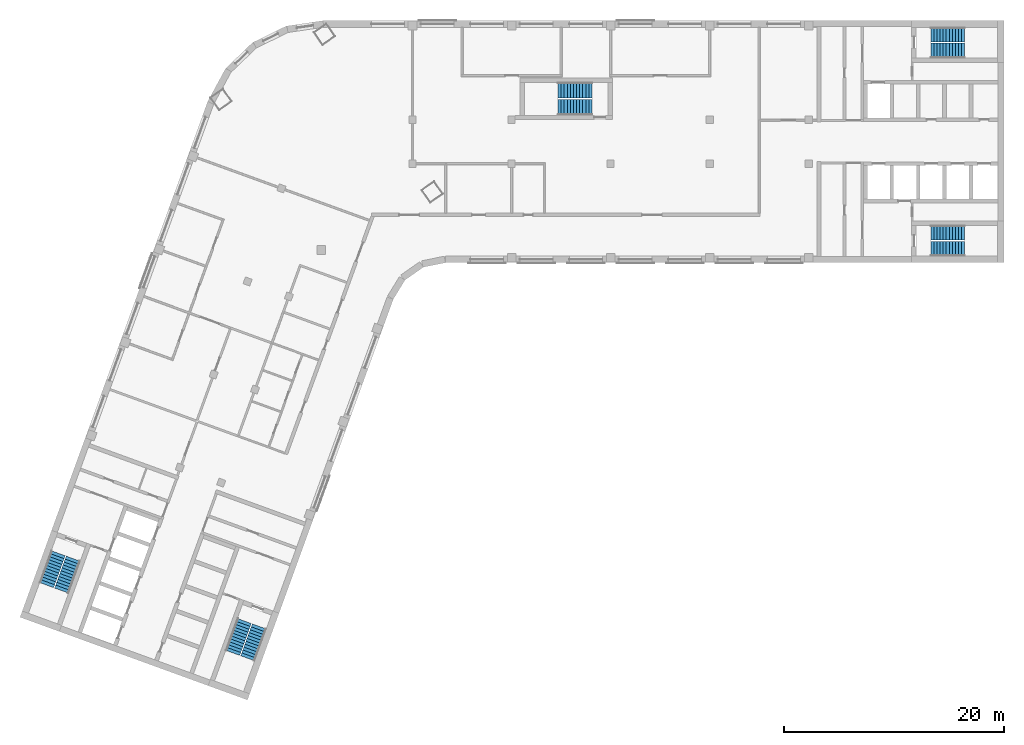
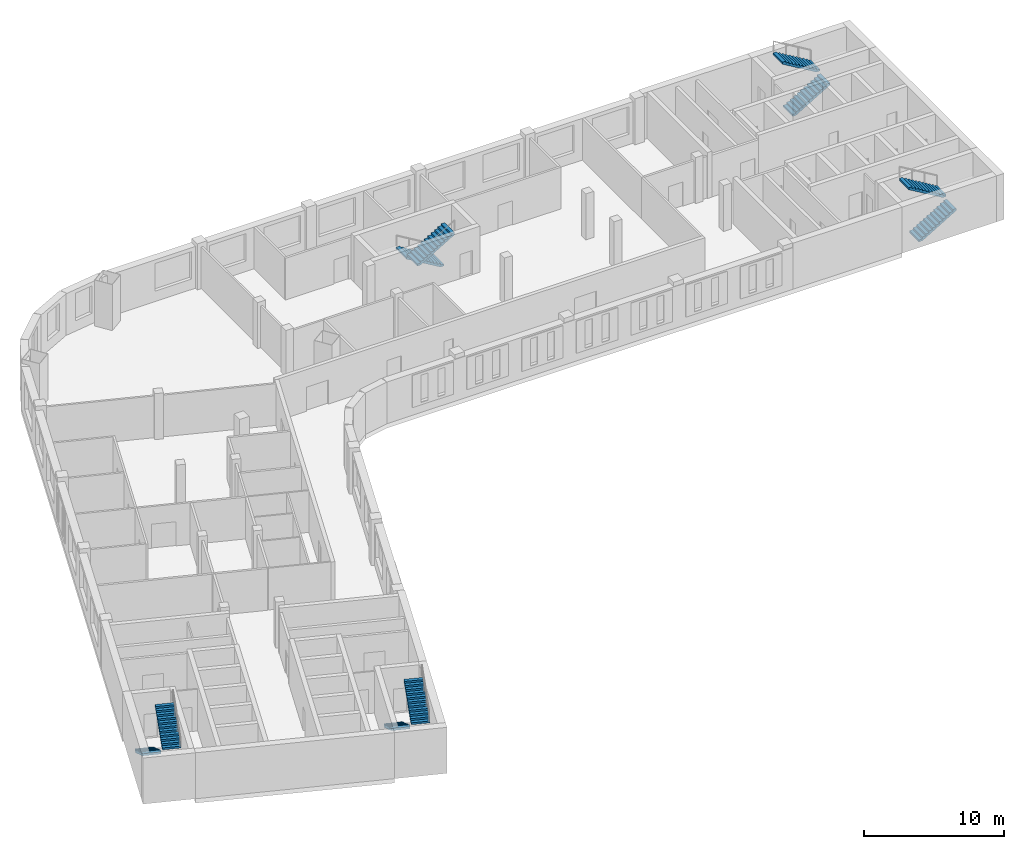
# One storey, part 7 of 8: 10 stair flights, 5 elements without a shape of their own.
"""IFC4 building model written with IfcOpenShell, lengths in metres."""

from ifc_helpers import new_model, si_unit, direction, frame, origin, place, context, subcontext, project, spatial, polyline, outline, extrude, material, type_object, element, aggregate, save


model = new_model("IFC4")

# Units and contexts
model_context = context("Model", 3, precision=1e-05, world=origin(), true_north=direction((0.0, 1.0)))
body_context = subcontext(model_context, "Body", "Model", "MODEL_VIEW")
ifc_project = project(units=[si_unit("LENGTHUNIT", "METRE"), si_unit("AREAUNIT", "SQUARE_METRE"), si_unit("VOLUMEUNIT", "CUBIC_METRE"), si_unit("PLANEANGLEUNIT", "RADIAN"), si_unit("MASSUNIT", "GRAM", prefix="KILO")], contexts=[model_context])

# Site, building, storey
site_placement = place(None, origin())
site = spatial("IfcSite", under=ifc_project, at=site_placement, CompositionType="ELEMENT")
building_placement = place(site_placement, origin())
building = spatial("IfcBuilding", under=site, at=building_placement, Name="Skarvind Civic Tower", CompositionType="ELEMENT")
storey_placement = place(building_placement, frame((0.0, 0.0, 150.5)))
storey = spatial("IfcBuildingStorey", under=building, at=storey_placement, Name="L35", CompositionType="ELEMENT", Elevation=150.5)

# Stair, stair flights
ifc_material = material(Name="Concrete C40/50", Category="concrete")
stair_type_1 = type_object("IfcStairType", Name="Exit stair 1450, half-turn, concrete", PredefinedType="HALF_TURN_STAIR", material=ifc_material)
stair_1_placement = place(storey_placement, origin())
stair_1 = element("IfcStair", 1, at=stair_1_placement, inside=storey, type_object=stair_type_1, Name="Exit stair CM", PredefinedType="HALF_TURN_STAIR")
stair_flight_type_1 = type_object("IfcStairFlightType", Name="Stair flight 1450, concrete", PredefinedType="STRAIGHT", material=ifc_material)
stair_flight_1_placement = place(storey_placement, frame((70.550048828125, 132.675048828125, 0.0), z_axis=(0.0, 0.0, 1.0), x_axis=(-1.0, 0.0, 0.0)))
stair_flight_1 = element("IfcStairFlight", 2, at=stair_flight_1_placement, type_object=stair_flight_type_1, Name="ST-CM flight 1", NumberOfRisers=12, NumberOfTreads=11, PredefinedType="STRAIGHT", RiserHeight=0.166666667, TreadLength=0.28, context=body_context, shape_type="SweptSolid", body=[
    extrude(outline(polyline([(0.0, 0.0), (0.0, 0.166748046875), (0.280029296875, 0.166748046875), (0.280029296875, 0.333251953125), (0.56005859375, 0.333251953125), (0.56005859375, 0.5), (0.840087890625, 0.5), (0.840087890625, 0.666748046875), (1.1201171875, 0.666748046875), (1.1201171875, 0.833251953125), (1.39990234375, 0.833251953125), (1.39990234375, 1.0), (1.679931640625, 1.0), (1.679931640625, 1.166748046875), (1.9599609375, 1.166748046875), (1.9599609375, 1.333251953125), (2.239990234375, 1.333251953125), (2.239990234375, 1.5), (2.52001953125, 1.5), (2.52001953125, 1.666748046875), (2.800048828125, 1.666748046875), (2.800048828125, 1.833251953125), (3.080078125, 1.833251953125), (3.080078125, 2.0), (3.080078125, 1.658935546875), (0.29296875, 0.0), (0.0, 0.0)])), frame((0.0, 0.72509765625, 0.0), z_axis=(0.0, -1.0, 0.0), x_axis=(1.0, 0.0, 0.0)), (0.0, 0.0, 1.0), 1.449951171875),
])
stair_flight_2_placement = place(storey_placement, frame((67.469970703125, 131.125, 2.0), z_axis=(0.0, 0.0, 1.0), x_axis=(1.0, 0.0, 0.0)))
stair_flight_2 = element("IfcStairFlight", 3, at=stair_flight_2_placement, type_object=stair_flight_type_1, Name="ST-CM flight 2", NumberOfRisers=12, NumberOfTreads=11, PredefinedType="STRAIGHT", RiserHeight=0.166666667, TreadLength=0.28, context=body_context, shape_type="SweptSolid", body=[
    extrude(outline(polyline([(0.0, 0.0), (0.0, 0.166748046875), (0.280029296875, 0.166748046875), (0.280029296875, 0.333251953125), (0.56005859375, 0.333251953125), (0.56005859375, 0.5), (0.840087890625, 0.5), (0.840087890625, 0.666748046875), (1.1201171875, 0.666748046875), (1.1201171875, 0.833251953125), (1.39990234375, 0.833251953125), (1.39990234375, 1.0), (1.679931640625, 1.0), (1.679931640625, 1.166748046875), (1.9599609375, 1.166748046875), (1.9599609375, 1.333251953125), (2.239990234375, 1.333251953125), (2.239990234375, 1.5), (2.52001953125, 1.5), (2.52001953125, 1.666748046875), (2.800048828125, 1.666748046875), (2.800048828125, 1.833251953125), (3.080078125, 1.833251953125), (3.080078125, 2.0), (3.080078125, 1.658935546875), (0.29296875, 0.0), (0.0, 0.0)])), frame((0.0, 0.72509765625, 0.0), z_axis=(0.0, -1.0, 0.0), x_axis=(1.0, 0.0, 0.0)), (0.0, 0.0, 1.0), 1.449951171875),
])
aggregate(stair_1, [stair_flight_1, stair_flight_2])

stair_type_2 = type_object("IfcStairType", Name="Exit stair, half-turn, concrete", PredefinedType="HALF_TURN_STAIR", material=ifc_material)
stair_2_placement = place(storey_placement, origin())
stair_2 = element("IfcStair", 4, at=stair_2_placement, inside=storey, type_object=stair_type_2, Name="Exit stair C1S", PredefinedType="HALF_TURN_STAIR")
stair_flight_type_2 = type_object("IfcStairFlightType", Name="Stair flight, concrete", PredefinedType="STRAIGHT", material=ifc_material)
stair_flight_3_placement = place(storey_placement, frame((101.35009765625, 136.27490234375, 0.0), z_axis=(0.0, 0.0, 1.0), x_axis=(1.0, 0.0, 0.0)))
stair_flight_3 = element("IfcStairFlight", 5, at=stair_flight_3_placement, type_object=stair_flight_type_2, Name="ST-C1S flight 1", NumberOfRisers=12, NumberOfTreads=11, PredefinedType="STRAIGHT", RiserHeight=0.166666667, TreadLength=0.28, context=body_context, shape_type="SweptSolid", body=[
    extrude(outline(polyline([(0.0, 0.0), (0.0, 0.166748046875), (0.280029296875, 0.166748046875), (0.280029296875, 0.333251953125), (0.56005859375, 0.333251953125), (0.56005859375, 0.5), (0.840087890625, 0.5), (0.840087890625, 0.666748046875), (1.1201171875, 0.666748046875), (1.1201171875, 0.833251953125), (1.39990234375, 0.833251953125), (1.39990234375, 1.0), (1.679931640625, 1.0), (1.679931640625, 1.166748046875), (1.9599609375, 1.166748046875), (1.9599609375, 1.333251953125), (2.239990234375, 1.333251953125), (2.239990234375, 1.5), (2.52001953125, 1.5), (2.52001953125, 1.666748046875), (2.800048828125, 1.666748046875), (2.800048828125, 1.833251953125), (3.080078125, 1.833251953125), (3.080078125, 2.0), (3.080078125, 1.658935546875), (0.29296875, 0.0), (0.0, 0.0)])), frame((0.0, 0.675048828125, 0.0), z_axis=(0.0, -1.0, 0.0), x_axis=(1.0, 0.0, 0.0)), (0.0, 0.0, 1.0), 1.35009765625),
])
stair_flight_4_placement = place(storey_placement, frame((104.429931640625, 137.72509765625, 2.0), z_axis=(0.0, 0.0, 1.0), x_axis=(-1.0, 0.0, 0.0)))
stair_flight_4 = element("IfcStairFlight", 6, at=stair_flight_4_placement, type_object=stair_flight_type_2, Name="ST-C1S flight 2", NumberOfRisers=12, NumberOfTreads=11, PredefinedType="STRAIGHT", RiserHeight=0.166666667, TreadLength=0.28, context=body_context, shape_type="SweptSolid", body=[
    extrude(outline(polyline([(0.0, 0.0), (0.0, 0.166748046875), (0.280029296875, 0.166748046875), (0.280029296875, 0.333251953125), (0.56005859375, 0.333251953125), (0.56005859375, 0.5), (0.840087890625, 0.5), (0.840087890625, 0.666748046875), (1.1201171875, 0.666748046875), (1.1201171875, 0.833251953125), (1.39990234375, 0.833251953125), (1.39990234375, 1.0), (1.679931640625, 1.0), (1.679931640625, 1.166748046875), (1.9599609375, 1.166748046875), (1.9599609375, 1.333251953125), (2.239990234375, 1.333251953125), (2.239990234375, 1.5), (2.52001953125, 1.5), (2.52001953125, 1.666748046875), (2.800048828125, 1.666748046875), (2.800048828125, 1.833251953125), (3.080078125, 1.833251953125), (3.080078125, 2.0), (3.080078125, 1.658935546875), (0.29296875, 0.0), (0.0, 0.0)])), frame((0.0, 0.675048828125, 0.0), z_axis=(0.0, -1.0, 0.0), x_axis=(1.0, 0.0, 0.0)), (0.0, 0.0, 1.0), 1.35009765625),
])
aggregate(stair_2, [stair_flight_3, stair_flight_4])

stair_3_placement = place(storey_placement, origin())
stair_3 = element("IfcStair", 7, at=stair_3_placement, inside=storey, type_object=stair_type_2, Name="Exit stair C1N", PredefinedType="HALF_TURN_STAIR")
stair_flight_5_placement = place(storey_placement, frame((101.35009765625, 118.27490234375, 0.0), z_axis=(0.0, 0.0, 1.0), x_axis=(1.0, 0.0, 0.0)))
stair_flight_5 = element("IfcStairFlight", 8, at=stair_flight_5_placement, type_object=stair_flight_type_2, Name="ST-C1N flight 1", NumberOfRisers=12, NumberOfTreads=11, PredefinedType="STRAIGHT", RiserHeight=0.166666667, TreadLength=0.28, context=body_context, shape_type="SweptSolid", body=[
    extrude(outline(polyline([(0.0, 0.0), (0.0, 0.166748046875), (0.280029296875, 0.166748046875), (0.280029296875, 0.333251953125), (0.56005859375, 0.333251953125), (0.56005859375, 0.5), (0.840087890625, 0.5), (0.840087890625, 0.666748046875), (1.1201171875, 0.666748046875), (1.1201171875, 0.833251953125), (1.39990234375, 0.833251953125), (1.39990234375, 1.0), (1.679931640625, 1.0), (1.679931640625, 1.166748046875), (1.9599609375, 1.166748046875), (1.9599609375, 1.333251953125), (2.239990234375, 1.333251953125), (2.239990234375, 1.5), (2.52001953125, 1.5), (2.52001953125, 1.666748046875), (2.800048828125, 1.666748046875), (2.800048828125, 1.833251953125), (3.080078125, 1.833251953125), (3.080078125, 2.0), (3.080078125, 1.658935546875), (0.29296875, 0.0), (0.0, 0.0)])), frame((0.0, 0.675048828125, 0.0), z_axis=(0.0, -1.0, 0.0), x_axis=(1.0, 0.0, 0.0)), (0.0, 0.0, 1.0), 1.35009765625),
])
stair_flight_6_placement = place(storey_placement, frame((104.429931640625, 119.72509765625, 2.0), z_axis=(0.0, 0.0, 1.0), x_axis=(-1.0, 0.0, 0.0)))
stair_flight_6 = element("IfcStairFlight", 9, at=stair_flight_6_placement, type_object=stair_flight_type_2, Name="ST-C1N flight 2", NumberOfRisers=12, NumberOfTreads=11, PredefinedType="STRAIGHT", RiserHeight=0.166666667, TreadLength=0.28, context=body_context, shape_type="SweptSolid", body=[
    extrude(outline(polyline([(0.0, 0.0), (0.0, 0.166748046875), (0.280029296875, 0.166748046875), (0.280029296875, 0.333251953125), (0.56005859375, 0.333251953125), (0.56005859375, 0.5), (0.840087890625, 0.5), (0.840087890625, 0.666748046875), (1.1201171875, 0.666748046875), (1.1201171875, 0.833251953125), (1.39990234375, 0.833251953125), (1.39990234375, 1.0), (1.679931640625, 1.0), (1.679931640625, 1.166748046875), (1.9599609375, 1.166748046875), (1.9599609375, 1.333251953125), (2.239990234375, 1.333251953125), (2.239990234375, 1.5), (2.52001953125, 1.5), (2.52001953125, 1.666748046875), (2.800048828125, 1.666748046875), (2.800048828125, 1.833251953125), (3.080078125, 1.833251953125), (3.080078125, 2.0), (3.080078125, 1.658935546875), (0.29296875, 0.0), (0.0, 0.0)])), frame((0.0, 0.675048828125, 0.0), z_axis=(0.0, -1.0, 0.0), x_axis=(1.0, 0.0, 0.0)), (0.0, 0.0, 1.0), 1.35009765625),
])
aggregate(stair_3, [stair_flight_5, stair_flight_6])

stair_4_placement = place(storey_placement, origin())
stair_4 = element("IfcStair", 10, at=stair_4_placement, inside=storey, type_object=stair_type_2, Name="Exit stair C2S", PredefinedType="HALF_TURN_STAIR")
stair_flight_7_placement = place(storey_placement, frame((38.949462890625, 84.43408203125, 0.0), z_axis=(0.0, 0.0, 1.0), x_axis=(-0.342020143326, -0.939692620786, 0.0)))
stair_flight_7 = element("IfcStairFlight", 11, at=stair_flight_7_placement, type_object=stair_flight_type_2, Name="ST-C2S flight 1", NumberOfRisers=12, NumberOfTreads=11, PredefinedType="STRAIGHT", RiserHeight=0.166666667, TreadLength=0.28, context=body_context, shape_type="SweptSolid", body=[
    extrude(outline(polyline([(0.0, 0.0), (0.0, 0.166748046875), (0.280029296875, 0.166748046875), (0.280029296875, 0.333251953125), (0.56005859375, 0.333251953125), (0.56005859375, 0.5), (0.840087890625, 0.5), (0.840087890625, 0.666748046875), (1.1201171875, 0.666748046875), (1.1201171875, 0.833251953125), (1.39990234375, 0.833251953125), (1.39990234375, 1.0), (1.679931640625, 1.0), (1.679931640625, 1.166748046875), (1.9599609375, 1.166748046875), (1.9599609375, 1.333251953125), (2.239990234375, 1.333251953125), (2.239990234375, 1.5), (2.52001953125, 1.5), (2.52001953125, 1.666748046875), (2.800048828125, 1.666748046875), (2.800048828125, 1.833251953125), (3.080078125, 1.833251953125), (3.080078125, 2.0), (3.080078125, 1.658935546875), (0.29296875, 0.0), (0.0, 0.0)])), frame((0.0, 0.675048828125, 0.0), z_axis=(0.0, -1.0, 0.0), x_axis=(1.0, 0.0, 0.0)), (0.0, 0.0, 1.0), 1.35009765625),
])
stair_flight_8_placement = place(storey_placement, frame((39.258544921875, 81.0439453125, 2.0), z_axis=(0.0, 0.0, 1.0), x_axis=(0.342020143326, 0.939692620786, 0.0)))
stair_flight_8 = element("IfcStairFlight", 12, at=stair_flight_8_placement, type_object=stair_flight_type_2, Name="ST-C2S flight 2", NumberOfRisers=12, NumberOfTreads=11, PredefinedType="STRAIGHT", RiserHeight=0.166666667, TreadLength=0.28, context=body_context, shape_type="SweptSolid", body=[
    extrude(outline(polyline([(0.0, 0.0), (0.0, 0.166748046875), (0.280029296875, 0.166748046875), (0.280029296875, 0.333251953125), (0.56005859375, 0.333251953125), (0.56005859375, 0.5), (0.840087890625, 0.5), (0.840087890625, 0.666748046875), (1.1201171875, 0.666748046875), (1.1201171875, 0.833251953125), (1.39990234375, 0.833251953125), (1.39990234375, 1.0), (1.679931640625, 1.0), (1.679931640625, 1.166748046875), (1.9599609375, 1.166748046875), (1.9599609375, 1.333251953125), (2.239990234375, 1.333251953125), (2.239990234375, 1.5), (2.52001953125, 1.5), (2.52001953125, 1.666748046875), (2.800048828125, 1.666748046875), (2.800048828125, 1.833251953125), (3.080078125, 1.833251953125), (3.080078125, 2.0), (3.080078125, 1.658935546875), (0.29296875, 0.0), (0.0, 0.0)])), frame((0.0, 0.675048828125, 0.0), z_axis=(0.0, -1.0, 0.0), x_axis=(1.0, 0.0, 0.0)), (0.0, 0.0, 1.0), 1.35009765625),
])
aggregate(stair_4, [stair_flight_7, stair_flight_8])

stair_5_placement = place(storey_placement, origin())
stair_5 = element("IfcStair", 13, at=stair_5_placement, inside=storey, type_object=stair_type_2, Name="Exit stair C2N", PredefinedType="HALF_TURN_STAIR")
stair_flight_9_placement = place(storey_placement, frame((22.034912109375, 90.590576171875, 0.0), z_axis=(0.0, 0.0, 1.0), x_axis=(-0.342020143326, -0.939692620786, 0.0)))
stair_flight_9 = element("IfcStairFlight", 14, at=stair_flight_9_placement, type_object=stair_flight_type_2, Name="ST-C2N flight 1", NumberOfRisers=12, NumberOfTreads=11, PredefinedType="STRAIGHT", RiserHeight=0.166666667, TreadLength=0.28, context=body_context, shape_type="SweptSolid", body=[
    extrude(outline(polyline([(0.0, 0.0), (0.0, 0.166748046875), (0.280029296875, 0.166748046875), (0.280029296875, 0.333251953125), (0.56005859375, 0.333251953125), (0.56005859375, 0.5), (0.840087890625, 0.5), (0.840087890625, 0.666748046875), (1.1201171875, 0.666748046875), (1.1201171875, 0.833251953125), (1.39990234375, 0.833251953125), (1.39990234375, 1.0), (1.679931640625, 1.0), (1.679931640625, 1.166748046875), (1.9599609375, 1.166748046875), (1.9599609375, 1.333251953125), (2.239990234375, 1.333251953125), (2.239990234375, 1.5), (2.52001953125, 1.5), (2.52001953125, 1.666748046875), (2.800048828125, 1.666748046875), (2.800048828125, 1.833251953125), (3.080078125, 1.833251953125), (3.080078125, 2.0), (3.080078125, 1.658935546875), (0.29296875, 0.0), (0.0, 0.0)])), frame((0.0, 0.675048828125, 0.0), z_axis=(0.0, -1.0, 0.0), x_axis=(1.0, 0.0, 0.0)), (0.0, 0.0, 1.0), 1.35009765625),
])
stair_flight_10_placement = place(storey_placement, frame((22.343994140625, 87.2001953125, 2.0), z_axis=(0.0, 0.0, 1.0), x_axis=(0.342020143326, 0.939692620786, 0.0)))
stair_flight_10 = element("IfcStairFlight", 15, at=stair_flight_10_placement, type_object=stair_flight_type_2, Name="ST-C2N flight 2", NumberOfRisers=12, NumberOfTreads=11, PredefinedType="STRAIGHT", RiserHeight=0.166666667, TreadLength=0.28, context=body_context, shape_type="SweptSolid", body=[
    extrude(outline(polyline([(0.0, 0.0), (0.0, 0.166748046875), (0.280029296875, 0.166748046875), (0.280029296875, 0.333251953125), (0.56005859375, 0.333251953125), (0.56005859375, 0.5), (0.840087890625, 0.5), (0.840087890625, 0.666748046875), (1.1201171875, 0.666748046875), (1.1201171875, 0.833251953125), (1.39990234375, 0.833251953125), (1.39990234375, 1.0), (1.679931640625, 1.0), (1.679931640625, 1.166748046875), (1.9599609375, 1.166748046875), (1.9599609375, 1.333251953125), (2.239990234375, 1.333251953125), (2.239990234375, 1.5), (2.52001953125, 1.5), (2.52001953125, 1.666748046875), (2.800048828125, 1.666748046875), (2.800048828125, 1.833251953125), (3.080078125, 1.833251953125), (3.080078125, 2.0), (3.080078125, 1.658935546875), (0.29296875, 0.0), (0.0, 0.0)])), frame((0.0, 0.675048828125, 0.0), z_axis=(0.0, -1.0, 0.0), x_axis=(1.0, 0.0, 0.0)), (0.0, 0.0, 1.0), 1.35009765625),
])
aggregate(stair_5, [stair_flight_9, stair_flight_10])

save(model, "model.ifc")
